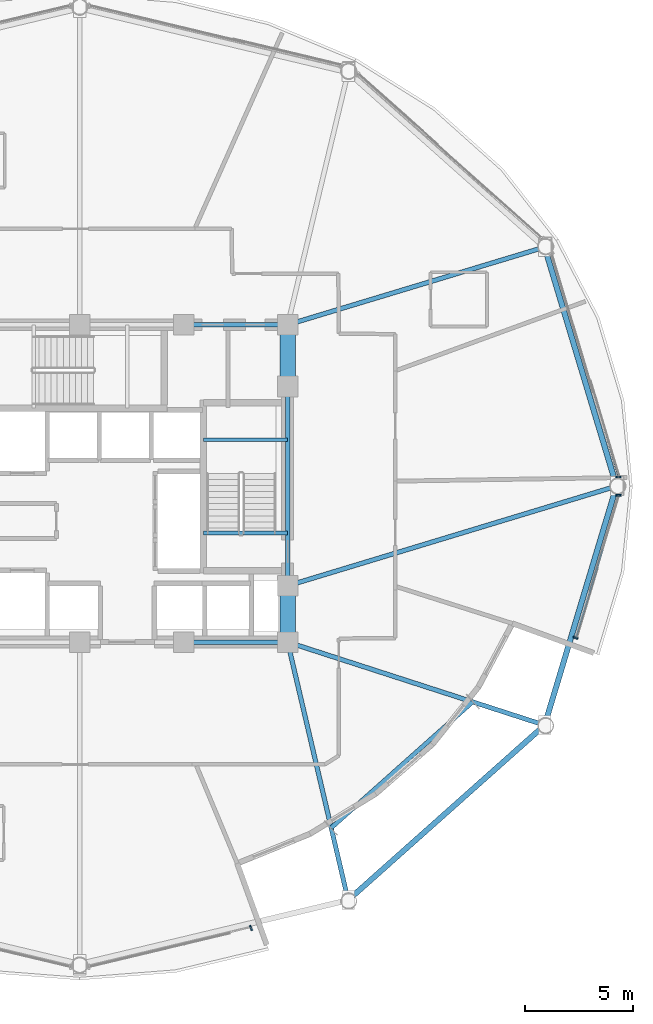
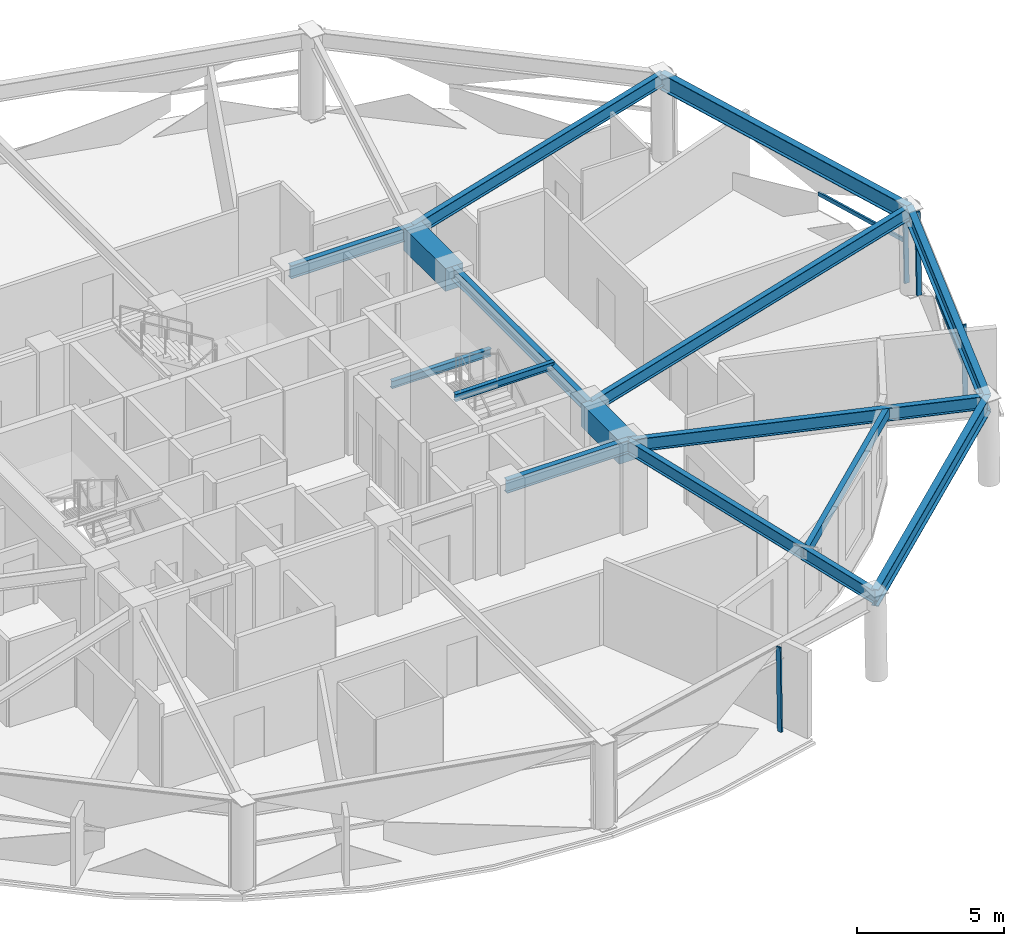
# One storey, part 5 of 16: 15 beams, 6 members, 3 elements without a shape of their own.
"""IFC4 building model written with IfcOpenShell, lengths in metres."""

from ifc_helpers import new_model, si_unit, direction, frame, origin, origin_2d, place, context, subcontext, project, spatial, rectangle, hollow_rectangle, i_section, extrude, material, layer, layer_set, material_profile, profile_set, type_object, element, aggregate, save


model = new_model("IFC4")

# Units and contexts
model_context = context("Model", 3, precision=1e-05, world=origin(), true_north=direction((0.0, 1.0)))
body_context = subcontext(model_context, "Body", "Model", "MODEL_VIEW")
ifc_project = project(units=[si_unit("LENGTHUNIT", "METRE"), si_unit("AREAUNIT", "SQUARE_METRE"), si_unit("VOLUMEUNIT", "CUBIC_METRE"), si_unit("PLANEANGLEUNIT", "RADIAN"), si_unit("MASSUNIT", "GRAM", prefix="KILO")], contexts=[model_context])

# Site, building, storey
site_placement = place(None, origin())
site = spatial("IfcSite", under=ifc_project, at=site_placement, CompositionType="ELEMENT")
building_placement = place(site_placement, origin())
building = spatial("IfcBuilding", under=site, at=building_placement, Name="Vantalir Tower", CompositionType="ELEMENT")
storey_placement = place(building_placement, frame((0.0, 0.0, 145.949951171875)))
storey = spatial("IfcBuildingStorey", under=building, at=storey_placement, Name="L36", CompositionType="ELEMENT", Elevation=145.949951171875)

# Beams
ifc_material_1 = material(Name="Concrete C60/75", Category="concrete")
ifc_material_profile_1 = material_profile(ifc_material_1, rectangle(XDim=0.699951171875, YDim=0.949951171875, at=origin_2d()), Name="Concrete C60/75")
ifc_profile_set_1 = profile_set([ifc_material_profile_1], Name="Concrete C60/75")
beam_type_1 = type_object("IfcBeamType", Name="BM-CB-700x950", PredefinedType="USERDEFINED", material=ifc_profile_set_1)
beam_1_placement = place(storey_placement, frame((41.10009765625, 17.800048828125, 3.094970703125), z_axis=(0.0, 1.0, 0.0), x_axis=(-1.0, 0.0, 0.0)))
element("IfcBeam", 1, at=beam_1_placement, inside=storey, type_object=beam_type_1, Name="L36 Core Coupling Girder 05", ObjectType="GIRDER", PredefinedType="USERDEFINED", context=body_context, shape_type="SweptSolid", body=[
    extrude(rectangle(XDim=0.699951171875, YDim=0.949951171875, at=origin_2d()), origin(), (0.0, 0.0, 1.0), 2.599853515625),
])
beam_2_placement = place(storey_placement, frame((41.10009765625, 29.60009765625, 3.094970703125), z_axis=(0.0, 1.0, 0.0), x_axis=(-1.0, 0.0, 0.0)))
element("IfcBeam", 2, at=beam_2_placement, inside=storey, type_object=beam_type_1, Name="L36 Core Coupling Girder 07", ObjectType="GIRDER", PredefinedType="USERDEFINED", context=body_context, shape_type="SweptSolid", body=[
    extrude(rectangle(XDim=0.699951171875, YDim=0.949951171875, at=origin_2d()), origin(), (0.0, 0.0, 1.0), 2.849853515625),
])
ifc_material_2 = material(Name="Steel S355", Category="steel")
ifc_material_profile_2 = material_profile(ifc_material_2, i_section(OverallWidth=0.166015625, OverallDepth=0.306884765625, WebThickness=0.006591796875, FlangeThickness=0.01171875, at=origin_2d()), Name="Steel S355")
ifc_profile_set_2 = profile_set([ifc_material_profile_2], Name="Steel S355")
beam_type_2 = type_object("IfcBeamType", Name="BM-JS-305x165", PredefinedType="JOIST", material=ifc_profile_set_2)
for number, where, z_axis, x_axis, name in (
    (3, (37.2099609375, 22.8349609375, 3.595947265625), (1.0, 0.0, 0.0), (0.0, 1.0, 0.0), "L37 Stair ST2 Well Nosing Trimmer Beam"),
    (4, (37.2099609375, 27.14501953125, 1.52197265625), (1.0, 0.0, 0.0), (0.0, 1.0, 0.0), "L36 Stair ST2 Half-Landing Support Beam"),
):
    element("IfcBeam", number, at=place(storey_placement, frame(where, z_axis=z_axis, x_axis=x_axis)), inside=storey, type_object=beam_type_2, Name=name, PredefinedType="JOIST", context=body_context, shape_type="SweptSolid", body=[
        extrude(i_section(OverallWidth=0.166015625, OverallDepth=0.306884765625, WebThickness=0.006591796875, FlangeThickness=0.01171875, at=origin_2d()), origin(), (0.0, 0.0, 1.0), 3.89013671875),
    ])
ifc_material_profile_3 = material_profile(ifc_material_2, i_section(OverallWidth=0.2109375, OverallDepth=0.5390625, WebThickness=0.01171875, FlangeThickness=0.018798828125, at=origin_2d()), Name="Steel S355")
ifc_profile_set_3 = profile_set([ifc_material_profile_3], Name="Steel S355")
beam_type_3 = type_object("IfcBeamType", Name="BM-RB-533x210", PredefinedType="BEAM", material=ifc_profile_set_3)
beam_3_placement = place(storey_placement, frame((36.300048828125, 17.800048828125, 3.301025390625), z_axis=(1.0, 0.0, 0.0), x_axis=(0.0, 1.0, 0.0)))
element("IfcBeam", 5, at=beam_3_placement, inside=storey, type_object=beam_type_3, Name="L36 Core Coupling Girder 04", PredefinedType="BEAM", context=body_context, shape_type="SweptSolid", body=[
    extrude(i_section(OverallWidth=0.2109375, OverallDepth=0.5390625, WebThickness=0.01171875, FlangeThickness=0.018798828125, at=origin_2d()), origin(), (0.0, 0.0, 1.0), 4.800048828125),
])
beam_4_placement = place(storey_placement, frame((41.10009765625, 20.39990234375, 3.301025390625), z_axis=(0.0, 1.0, 0.0), x_axis=(-1.0, 0.0, 0.0)))
element("IfcBeam", 6, at=beam_4_placement, inside=storey, type_object=beam_type_3, Name="L36 Core Coupling Girder 06", PredefinedType="BEAM", context=body_context, shape_type="SweptSolid", body=[
    extrude(i_section(OverallWidth=0.2109375, OverallDepth=0.5390625, WebThickness=0.01171875, FlangeThickness=0.018798828125, at=origin_2d()), origin(), (0.0, 0.0, 1.0), 9.2001953125),
])
beam_5_placement = place(storey_placement, frame((41.10009765625, 32.449951171875, 3.301025390625), z_axis=(-1.0, 0.0, 0.0), x_axis=(0.0, -1.0, 0.0)))
element("IfcBeam", 7, at=beam_5_placement, inside=storey, type_object=beam_type_3, Name="L36 Core Coupling Girder 08", PredefinedType="BEAM", context=body_context, shape_type="SweptSolid", body=[
    extrude(i_section(OverallWidth=0.2109375, OverallDepth=0.5390625, WebThickness=0.01171875, FlangeThickness=0.018798828125, at=origin_2d()), origin(), (0.0, 0.0, 1.0), 4.800048828125),
])
beam_6_placement = place(storey_placement, frame((56.282958984375, 25.0, 3.301025390625), z_axis=(-0.957037864084, -0.289962974723, 0.0), x_axis=(0.289962974723, -0.957037864084, 0.0)))
element("IfcBeam", 8, at=beam_6_placement, inside=storey, type_object=beam_type_3, Name="L36 Radial Floor Beam 01", PredefinedType="BEAM", context=body_context, shape_type="SweptSolid", body=[
    extrude(i_section(OverallWidth=0.2109375, OverallDepth=0.5390625, WebThickness=0.01171875, FlangeThickness=0.018798828125, at=origin_2d()), origin(), (0.0, 0.0, 1.0), 15.864501953125),
])
beam_7_placement = place(storey_placement, frame((52.962890625, 36.033935546875, 3.301025390625), z_axis=(-0.957265983096, -0.289208986043, 0.0), x_axis=(0.289208986043, -0.957265983096, 0.0)))
element("IfcBeam", 9, at=beam_7_placement, inside=storey, type_object=beam_type_3, Name="L36 Radial Floor Beam 02", PredefinedType="BEAM", context=body_context, shape_type="SweptSolid", body=[
    extrude(i_section(OverallWidth=0.2109375, OverallDepth=0.5390625, WebThickness=0.01171875, FlangeThickness=0.018798828125, at=origin_2d()), origin(), (0.0, 0.0, 1.0), 12.392333984375),
])
beam_8_placement = place(storey_placement, frame((43.89208984375, 5.887939453125, 3.301025390625), z_axis=(-0.228198416036, 0.973614648061, 0.0), x_axis=(-0.973614648061, -0.228198416036, 0.0)))
element("IfcBeam", 10, at=beam_8_placement, inside=storey, type_object=beam_type_3, Name="L36 Radial Floor Beam 11", PredefinedType="BEAM", context=body_context, shape_type="SweptSolid", body=[
    extrude(i_section(OverallWidth=0.2109375, OverallDepth=0.5390625, WebThickness=0.01171875, FlangeThickness=0.018798828125, at=origin_2d()), origin(), (0.0, 0.0, 1.0), 12.23486328125),
])
beam_9_placement = place(storey_placement, frame((52.962890625, 13.965087890625, 3.301025390625), z_axis=(-0.95151500296, 0.307602339298, 0.0), x_axis=(-0.307602339298, -0.95151500296, 0.0)))
element("IfcBeam", 11, at=beam_9_placement, inside=storey, type_object=beam_type_3, Name="L36 Radial Floor Beam 12", PredefinedType="BEAM", context=body_context, shape_type="SweptSolid", body=[
    extrude(i_section(OverallWidth=0.2109375, OverallDepth=0.5390625, WebThickness=0.01171875, FlangeThickness=0.018798828125, at=origin_2d()), origin(), (0.0, 0.0, 1.0), 12.46728515625),
])
ifc_material_3 = material(Name="Steel S460", Category="steel")
ifc_material_profile_4 = material_profile(ifc_material_3, i_section(OverallWidth=0.256103515625, OverallDepth=0.693115234375, WebThickness=0.014404296875, FlangeThickness=0.023681640625, at=origin_2d()), Name="Steel S460")
ifc_profile_set_4 = profile_set([ifc_material_profile_4], Name="Steel S460")
beam_type_4 = type_object("IfcBeamType", Name="BM-RG-686x254", PredefinedType="USERDEFINED", material=ifc_profile_set_4)
beam_10_placement = place(storey_placement, frame((56.282958984375, 25.0, 3.22412109375), z_axis=(-0.288135047515, 0.957589783986, 0.0), x_axis=(-0.957589783986, -0.288135047515, 0.0)))
element("IfcBeam", 12, at=beam_10_placement, inside=storey, type_object=beam_type_4, Name="L36 Circumferential Ring Girder 01", ObjectType="GIRDER", PredefinedType="USERDEFINED", context=body_context, shape_type="SweptSolid", body=[
    extrude(i_section(OverallWidth=0.256103515625, OverallDepth=0.693115234375, WebThickness=0.014404296875, FlangeThickness=0.023681640625, at=origin_2d()), origin(), (0.0, 0.0, 1.0), 11.522705078125),
])
beam_11_placement = place(storey_placement, frame((43.89208984375, 5.887939453125, 3.22412109375), z_axis=(0.746827909531, 0.665017348305, 0.0), x_axis=(-0.665017348305, 0.746827909531, 0.0)))
element("IfcBeam", 13, at=beam_11_placement, inside=storey, type_object=beam_type_4, Name="L36 Circumferential Ring Girder 11", ObjectType="GIRDER", PredefinedType="USERDEFINED", context=body_context, shape_type="SweptSolid", body=[
    extrude(i_section(OverallWidth=0.256103515625, OverallDepth=0.693115234375, WebThickness=0.014404296875, FlangeThickness=0.023681640625, at=origin_2d()), origin(), (0.0, 0.0, 1.0), 12.145751953125),
])
beam_12_placement = place(storey_placement, frame((52.962890625, 13.965087890625, 3.22412109375), z_axis=(0.288111665009, 0.95759681938, 0.0), x_axis=(-0.95759681938, 0.288111665009, 0.0)))
element("IfcBeam", 14, at=beam_12_placement, inside=storey, type_object=beam_type_4, Name="L36 Circumferential Ring Girder 12", ObjectType="GIRDER", PredefinedType="USERDEFINED", context=body_context, shape_type="SweptSolid", body=[
    extrude(i_section(OverallWidth=0.256103515625, OverallDepth=0.693115234375, WebThickness=0.014404296875, FlangeThickness=0.023681640625, at=origin_2d()), origin(), (0.0, 0.0, 1.0), 11.5234375),
])
ifc_material_profile_5 = material_profile(ifc_material_2, hollow_rectangle(XDim=0.199951171875, YDim=0.39990234375, WallThickness=0.01611328125, at=origin_2d()), Name="Steel S355")
ifc_profile_set_5 = profile_set([ifc_material_profile_5], Name="Steel S355")
beam_type_5 = type_object("IfcBeamType", Name="BM-SP-400x200", PredefinedType="LINTEL", material=ifc_profile_set_5)
beam_13_placement = place(storey_placement, frame((43.110107421875, 9.222900390625, 3.3701171875), z_axis=(0.746794450734, 0.665054921305, 0.0), x_axis=(-0.665054921305, 0.746794450734, 0.0)))
element("IfcBeam", 15, at=beam_13_placement, inside=storey, type_object=beam_type_5, Name="L36 SG2 Recessed Edge Lintel 1", PredefinedType="LINTEL", context=body_context, shape_type="SweptSolid", body=[
    extrude(hollow_rectangle(XDim=0.199951171875, YDim=0.39990234375, WallThickness=0.01611328125, at=origin_2d()), origin(), (0.0, 0.0, 1.0), 8.745361328125),
])

# Curtain wall, member
ifc_material_4 = material(Name="Champagne-silver PVDF aluminium and double-silver Low-E glass", Category="aluminium")
ifc_layer = layer(ifc_material_4, 0.199951171875)
ifc_layer_set = layer_set([ifc_layer], Name="Champagne-silver PVDF aluminium and double-silver Low-E glass")
curtain_wall_type = type_object("IfcCurtainWallType", Name="CW-DIAMOND-Z2", PredefinedType="USERDEFINED", material=ifc_layer_set)
curtain_wall_1_placement = place(storey_placement, origin())
curtain_wall_1 = element("IfcCurtainWall", 16, at=curtain_wall_1_placement, inside=storey, type_object=curtain_wall_type, Name="L36 Quilted Pyramid-Diamond Curtain Wall S01", ObjectType="UNITISED CURTAIN WALL", PredefinedType="USERDEFINED")
ifc_material_5 = material(Name="Champagne-silver PVDF aluminium 6063-T6", Category="aluminium")
ifc_material_profile_6 = material_profile(ifc_material_5, hollow_rectangle(XDim=0.074951171875, YDim=0.179931640625, WallThickness=0.00390625, at=origin_2d()), Name="Champagne-silver PVDF aluminium 6063-T6")
ifc_profile_set_6 = profile_set([ifc_material_profile_6], Name="Champagne-silver PVDF aluminium 6063-T6")
member_type_1 = type_object("IfcMemberType", Name="CWM-180x75", PredefinedType="MULLION", material=ifc_profile_set_6)
member_1_placement = place(storey_placement, frame((56.407958984375, 25.4208984375, 0.045166015625), z_axis=(-0.017816730913, 0.0, 0.999841269452), x_axis=(0.0, -1.0, 0.0)))
member_1 = element("IfcMember", 17, at=member_1_placement, type_object=member_type_1, Name="CW-L36-S01 Mullion 1", PredefinedType="MULLION", context=body_context, shape_type="SweptSolid", body=[
    extrude(hollow_rectangle(XDim=0.074951171875, YDim=0.179931640625, WallThickness=0.00390625, at=origin_2d()), origin(), (0.0, 0.0, 1.0), 3.48046875),
])

curtain_wall_2_placement = place(storey_placement, origin())
curtain_wall_2 = element("IfcCurtainWall", 18, at=curtain_wall_2_placement, inside=storey, type_object=curtain_wall_type, Name="L36 Quilted Pyramid-Diamond Curtain Wall S10", ObjectType="UNITISED CURTAIN WALL", PredefinedType="USERDEFINED")
member_2_placement = place(storey_placement, frame((39.4169921875, 4.576904296875, 0.045166015625), z_axis=(-0.005752081133, 0.014380202832, 0.999880054471), x_axis=(-0.928476690885, -0.371390676354, 0.0)))
member_2 = element("IfcMember", 19, at=member_2_placement, type_object=member_type_1, Name="CW-L36-S10 Mullion 2", PredefinedType="MULLION", context=body_context, shape_type="SweptSolid", body=[
    extrude(hollow_rectangle(XDim=0.074951171875, YDim=0.179931640625, WallThickness=0.00390625, at=origin_2d()), origin(), (0.0, 0.0, 1.0), 3.48046875),
])
aggregate(curtain_wall_2, [member_2])

# Curtain wall, members
curtain_wall_3_placement = place(storey_placement, origin())
curtain_wall_3 = element("IfcCurtainWall", 20, at=curtain_wall_3_placement, inside=storey, type_object=curtain_wall_type, Name="L36 Quilted Pyramid-Diamond Curtain Wall S12", ObjectType="UNITISED CURTAIN WALL", PredefinedType="USERDEFINED")
member_3_placement = place(storey_placement, frame((54.426025390625, 17.98291015625, 0.045166015625), z_axis=(-0.016414011707, 0.005190755839, 0.999851807156), x_axis=(-0.301521356078, -0.953459423273, 0.0)))
member_3 = element("IfcMember", 21, at=member_3_placement, type_object=member_type_1, Name="CW-L36-S12 Mullion 1", PredefinedType="MULLION", context=body_context, shape_type="SweptSolid", body=[
    extrude(hollow_rectangle(XDim=0.074951171875, YDim=0.179931640625, WallThickness=0.00390625, at=origin_2d()), origin(), (0.0, 0.0, 1.0), 3.48046875),
])
member_4_placement = place(storey_placement, frame((56.407958984375, 24.5791015625, 0.045166015625), z_axis=(-0.017816730913, 0.0, 0.999841269452), x_axis=(0.0, -1.0, 0.0)))
member_4 = element("IfcMember", 22, at=member_4_placement, type_object=member_type_1, Name="CW-L36-S12 Mullion 2", PredefinedType="MULLION", context=body_context, shape_type="SweptSolid", body=[
    extrude(hollow_rectangle(XDim=0.074951171875, YDim=0.179931640625, WallThickness=0.00390625, at=origin_2d()), origin(), (0.0, 0.0, 1.0), 3.48046875),
])

# Member
ifc_material_profile_7 = material_profile(ifc_material_5, hollow_rectangle(XDim=0.074951171875, YDim=0.159912109375, WallThickness=0.00390625, at=origin_2d()), Name="Champagne-silver PVDF aluminium 6063-T6")
ifc_profile_set_7 = profile_set([ifc_material_profile_7], Name="Champagne-silver PVDF aluminium 6063-T6")
member_type_2 = type_object("IfcMemberType", Name="CWT-160x75", PredefinedType="USERDEFINED", material=ifc_profile_set_7)
member_5_placement = place(storey_placement, frame((56.376953125, 25.4208984375, 1.78515625), z_axis=(-0.282195443488, 0.959356936533, 0.0), x_axis=(-0.959356936533, -0.282195443488, 0.0)))
member_5 = element("IfcMember", 23, at=member_5_placement, type_object=member_type_2, Name="CW-L36-S01 Pyramid Fold Ridge Transom", ObjectType="TRANSOM", PredefinedType="USERDEFINED", context=body_context, shape_type="SweptSolid", body=[
    extrude(hollow_rectangle(XDim=0.074951171875, YDim=0.159912109375, WallThickness=0.00390625, at=origin_2d()), origin(), (0.0, 0.0, 1.0), 4.085205078125),
])

aggregate(curtain_wall_1, [member_1, member_5])

member_6_placement = place(storey_placement, frame((54.39697265625, 17.991943359375, 1.78515625), z_axis=(0.293281961587, 0.956025988668, 0.0), x_axis=(-0.956025988668, 0.293281961587, 0.0)))
member_6 = element("IfcMember", 24, at=member_6_placement, type_object=member_type_2, Name="CW-L36-S12 Pyramid Fold Ridge Transom", ObjectType="TRANSOM", PredefinedType="USERDEFINED", context=body_context, shape_type="SweptSolid", body=[
    extrude(hollow_rectangle(XDim=0.074951171875, YDim=0.159912109375, WallThickness=0.00390625, at=origin_2d()), origin(), (0.0, 0.0, 1.0), 4.268798828125),
])

aggregate(curtain_wall_3, [member_3, member_4, member_6])

save(model, "model.ifc")
